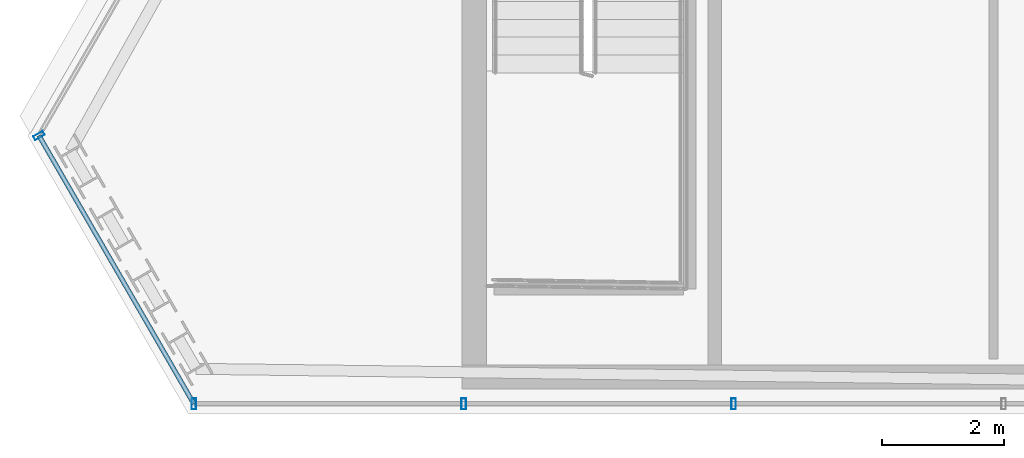
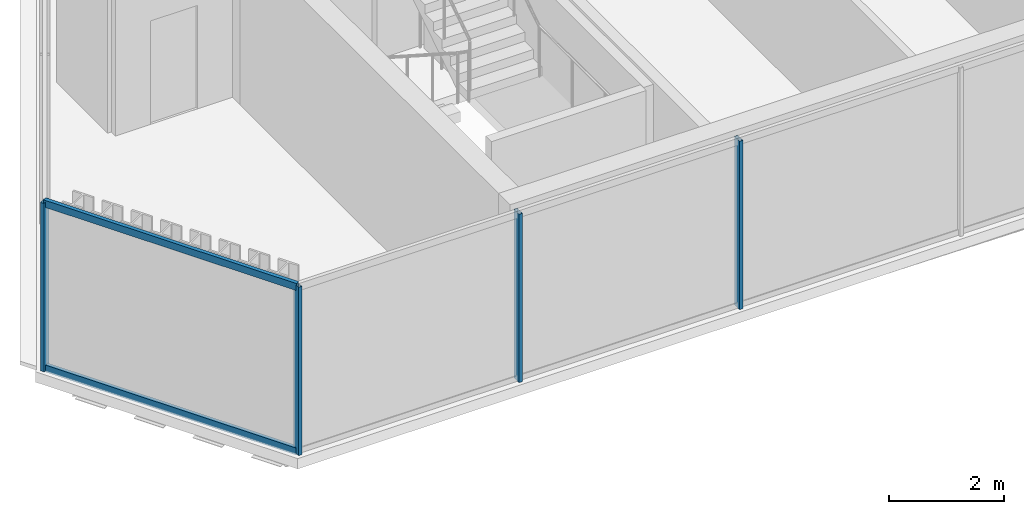
# One storey, part 3 of 35: 6 members, 2 elements without a shape of their own.
"""IFC4 building model written with IfcOpenShell, lengths in metres."""

import ifcopenshell
import ifcopenshell.guid

model = None  # the IFC model being written
_history = None  # IfcOwnerHistory: only IFC2X3 demands one
_inside = {}  # id of a spatial element -> (the spatial element, [elements in it])
_under = {}  # id of a project, library or spatial element -> (it, [spatial elements below it])
_declared = {}  # id of a project -> (the project, [libraries it declares])
_typed = {}  # id of a type object -> (the type object, [elements of that type])
_made_of = {}  # id of a material, layer set ... -> (it, [elements and type objects made of it])


def new_model(schema):
    """Start an empty IFC model of exactly this schema.

    Asked for "IFC4X3", IfcOpenShell would pick the latest addendum, in which some entities
    have other attributes; the version numbers below select the first issue.
    IFC2X3 requires an IfcOwnerHistory on every rooted entity: one is made here for all.
    """
    global model, _history
    if schema == "IFC4X3":
        model = ifcopenshell.file(schema_version=(4, 3, 0, 0))
    else:
        model = ifcopenshell.file(schema=schema)
    _inside.clear()
    _under.clear()
    _declared.clear()
    _typed.clear()
    _made_of.clear()
    _history = None
    if model.schema == "IFC2X3":
        org = make("IfcOrganization", Name="unknown")
        user = make(
            "IfcPersonAndOrganization",
            ThePerson=make("IfcPerson", FamilyName="unknown"),
            TheOrganization=org,
        )
        app = make(
            "IfcApplication",
            ApplicationDeveloper=org,
            Version="unknown",
            ApplicationFullName="unknown",
            ApplicationIdentifier="unknown",
        )
        _history = make(
            "IfcOwnerHistory",
            OwningUser=user,
            OwningApplication=app,
            ChangeAction="ADDED",
            CreationDate=0,
        )
    return model


def make(cls, **values):
    """One entity of the class cls with the attributes given. An attribute that is None is left unset."""
    return model.create_entity(
        cls, **{name: value for name, value in values.items() if value is not None}
    )


def rooted(cls, **values):
    """An entity with a GlobalId (a new one), such as an element, a storey or a relation."""
    return make(cls, GlobalId=ifcopenshell.guid.new(), OwnerHistory=_history, **values)


def si_unit(unit_type, name, prefix=None):
    """IfcSIUnit, for example si_unit("LENGTHUNIT", "METRE", prefix="MILLI")."""
    return make("IfcSIUnit", UnitType=unit_type, Prefix=prefix, Name=name)


def assignment(units):
    """IfcUnitAssignment: the units of a project."""
    return None if units is None else make("IfcUnitAssignment", Units=units)


def point(xyz):
    """IfcCartesianPoint."""
    return None if xyz is None else make("IfcCartesianPoint", Coordinates=xyz)


def direction(xyz):
    """IfcDirection."""
    return None if xyz is None else make("IfcDirection", DirectionRatios=xyz)


def frame(location, z_axis=None, x_axis=None):
    """IfcAxis2Placement3D, a coordinate frame: its origin and axes. An axis left out is left unset."""
    return make(
        "IfcAxis2Placement3D",
        Location=point(location),
        Axis=direction(z_axis),
        RefDirection=direction(x_axis),
    )


def frame_2d(location, x_axis=None):
    """IfcAxis2Placement2D, a coordinate frame in the plane: its origin and x axis."""
    return make(
        "IfcAxis2Placement2D", Location=point(location), RefDirection=direction(x_axis)
    )


def origin():
    """The frame at (0, 0, 0) with its axes left unset."""
    return frame((0.0, 0.0, 0.0))


def origin_2d():
    """The frame at (0, 0) in the plane with its x axis left unset."""
    return frame_2d((0.0, 0.0))


def place(relative_to, where):
    """IfcLocalPlacement: puts the frame where relative to a parent placement (None: the world)."""
    return make(
        "IfcLocalPlacement", PlacementRelTo=relative_to, RelativePlacement=where
    )


def context(
    kind, dimensions, precision=None, world=None, true_north=None, identifier=None
):
    """IfcGeometricRepresentationContext, for example the 3D "Model" context."""
    return make(
        "IfcGeometricRepresentationContext",
        ContextIdentifier=identifier,
        ContextType=kind,
        CoordinateSpaceDimension=dimensions,
        Precision=precision,
        WorldCoordinateSystem=world,
        TrueNorth=true_north,
    )


def subcontext(parent, identifier, kind, view, scale=None):
    """IfcGeometricRepresentationSubContext, for example "Body" below "Model"."""
    return make(
        "IfcGeometricRepresentationSubContext",
        ContextIdentifier=identifier,
        ContextType=kind,
        ParentContext=parent,
        TargetScale=scale,
        TargetView=view,
    )


def project(units=None, contexts=None):
    """IfcProject with its units and contexts."""
    return rooted(
        "IfcProject",
        Name="project",
        RepresentationContexts=contexts,
        UnitsInContext=assignment(units),
    )


def spatial(cls, under=None, at=None, **own):
    """A site, building, storey or space (cls), placed at a placement, below another one or the project."""
    s = rooted(cls, ObjectPlacement=at, **own)
    if under is not None:
        _under.setdefault(under.id(), (under, []))[1].append(s)
    return s


def profile(cls, at=None, kind="AREA", **sizes):
    """A parametric profile (cls). Its sizes go by their IFC names, for example OverallWidth=200.0."""
    return make(cls, ProfileType=kind, Position=at, **sizes)


def hollow_rectangle(**sizes):
    """IfcRectangleHollowProfileDef."""
    return profile("IfcRectangleHollowProfileDef", **sizes)


def extrude(swept, where, along, depth):
    """IfcExtrudedAreaSolid: the profile swept, set in the frame where, extruded along a direction by depth."""
    return make(
        "IfcExtrudedAreaSolid",
        SweptArea=swept,
        Position=where,
        ExtrudedDirection=direction(along),
        Depth=depth,
    )


def shape(context_of_items, identifier, shape_type, items):
    """IfcShapeRepresentation: the items that make up one representation, for example the "Body"."""
    return make(
        "IfcShapeRepresentation",
        ContextOfItems=context_of_items,
        RepresentationIdentifier=identifier,
        RepresentationType=shape_type,
        Items=items,
    )


def material(Name=None, Category=None):
    """IfcMaterial."""
    return make("IfcMaterial", Name=Name, Category=Category)


def layer(
    of_material, thickness, ventilated=None, Name=None, Category=None, Priority=None
):
    """IfcMaterialLayer: one layer of a wall or slab, of a material (None: an air gap)."""
    return make(
        "IfcMaterialLayer",
        Material=of_material,
        LayerThickness=thickness,
        IsVentilated=ventilated,
        Name=Name,
        Category=Category,
        Priority=Priority,
    )


def layer_set(layers, Name=None):
    """IfcMaterialLayerSet."""
    return make("IfcMaterialLayerSet", MaterialLayers=layers, LayerSetName=Name)


def material_profile(
    of_material, cross_section, Name=None, Category=None, Priority=None
):
    """IfcMaterialProfile: a cross section and its material."""
    return make(
        "IfcMaterialProfile",
        Name=Name,
        Material=of_material,
        Profile=cross_section,
        Priority=Priority,
        Category=Category,
    )


def profile_set(profiles, Name=None, composite=None):
    """IfcMaterialProfileSet."""
    return make(
        "IfcMaterialProfileSet",
        Name=Name,
        MaterialProfiles=profiles,
        CompositeProfile=composite,
    )


def made_of(thing, what):
    """Note that an element or type object is made of a material, layer set ...; save() writes the relation."""
    if what is not None:
        _made_of.setdefault(what.id(), (what, []))[1].append(thing)
    return thing


def type_object(cls, material=None, **own):
    """A type object (cls), such as IfcWallType, which elements share."""
    return made_of(rooted(cls, **own), material)


def element(
    cls,
    number,
    at=None,
    inside=None,
    cuts=None,
    type_object=None,
    material=None,
    context=None,
    identifier="Body",
    shape_type=None,
    held_by="IfcProductDefinitionShape",
    body=None,
    shapes=None,
    **own,
):
    """One element of the class cls, such as IfcWall. Its Tag is "e" and its number.

    at: its placement. inside: the storey or other place that contains it. cuts: it is an
    opening in that element (IfcRelVoidsElement). A single representation is given by context,
    identifier, shape_type and body (its items); several are given by shapes. held_by: the class
    of the entity that holds the representations. save() writes the other relations.
    """
    e = rooted(cls, Tag="e%d" % number, ObjectPlacement=at, **own)
    if body is not None:
        shapes = [shape(context, identifier, shape_type, body)]
    if shapes is not None:
        e.Representation = make(held_by, Representations=shapes)
    if inside is not None:
        _inside.setdefault(inside.id(), (inside, []))[1].append(e)
    if cuts is not None:
        rooted(
            "IfcRelVoidsElement", RelatingBuildingElement=cuts, RelatedOpeningElement=e
        )
    if type_object is not None:
        _typed.setdefault(type_object.id(), (type_object, []))[1].append(e)
    return made_of(e, material)


def aggregate(whole, parts):
    """IfcRelAggregates: a whole, such as a stair, and the parts it consists of."""
    return rooted("IfcRelAggregates", RelatingObject=whole, RelatedObjects=parts)


def save(model, path):
    """Write the relations noted so far, then the file.

    IfcRelAggregates (storeys below a building ...), IfcRelContainedInSpatialStructure (elements
    in a storey), IfcRelDefinesByType, IfcRelAssociatesMaterial and IfcRelDeclares: one each for
    every whole, place, type object, material and project.
    """
    for whole, parts in _under.values():
        aggregate(whole, parts)
    for where, things in _inside.values():
        rooted(
            "IfcRelContainedInSpatialStructure",
            RelatedElements=things,
            RelatingStructure=where,
        )
    for kind, things in _typed.values():
        rooted("IfcRelDefinesByType", RelatedObjects=things, RelatingType=kind)
    for what, things in _made_of.values():
        rooted("IfcRelAssociatesMaterial", RelatedObjects=things, RelatingMaterial=what)
    for by, libraries in _declared.values():
        rooted("IfcRelDeclares", RelatingContext=by, RelatedDefinitions=libraries)
    model.write(path)


model = new_model("IFC4")

# Units and contexts
model_context = context("Model", 3, precision=1e-05, world=origin(), true_north=direction((0.0, 1.0)))
body_context = subcontext(model_context, "Body", "Model", "MODEL_VIEW")
ifc_project = project(units=[si_unit("LENGTHUNIT", "METRE"), si_unit("AREAUNIT", "SQUARE_METRE"), si_unit("VOLUMEUNIT", "CUBIC_METRE"), si_unit("PLANEANGLEUNIT", "RADIAN"), si_unit("MASSUNIT", "GRAM", prefix="KILO")], contexts=[model_context])

# Site, building, storey
site_placement = place(None, origin())
site = spatial("IfcSite", under=ifc_project, at=site_placement, CompositionType="ELEMENT")
building_placement = place(site_placement, origin())
building = spatial("IfcBuilding", under=site, at=building_placement, Name="Ndaravel Arena Tower", CompositionType="ELEMENT")
storey_placement = place(building_placement, frame((0.0, 0.0, 271.199951171875)))
storey = spatial("IfcBuildingStorey", under=building, at=storey_placement, Name="L66", CompositionType="ELEMENT", Elevation=271.199951171875)

# Curtain wall, members
ifc_material_1 = material(Name="Aluminium", Category="aluminium")
ifc_layer_1 = layer(ifc_material_1, 0.179931640625)
ifc_layer_set_1 = layer_set([ifc_layer_1], Name="Aluminium")
curtain_wall_type_1 = type_object("IfcCurtainWallType", Name="CW-SYS-03", PredefinedType="NOTDEFINED", material=ifc_layer_set_1)
curtain_wall_1_placement = place(storey_placement, origin())
curtain_wall_1 = element("IfcCurtainWall", 1, at=curtain_wall_1_placement, inside=storey, type_object=curtain_wall_type_1, Name="L66 Faceted Crystal Curtain Wall CW-L66-E01", PredefinedType="NOTDEFINED")
ifc_material_2 = material(Name="Aluminium", Category="aluminium")
ifc_material_profile_1 = material_profile(ifc_material_2, hollow_rectangle(XDim=0.074951171875, YDim=0.179931640625, WallThickness=0.00390625, at=origin_2d()), Name="CW MULLION 75x180x4")
ifc_profile_set_1 = profile_set([ifc_material_profile_1], Name="Aluminium")
member_type_1 = type_object("IfcMemberType", Name="MEM-CW-MUL180", PredefinedType="MULLION", material=ifc_profile_set_1)
member_1_placement = place(storey_placement, frame((22.041015625, 5.159912109375, 0.0), z_axis=(0.0, 0.0, 1.0), x_axis=(1.0, 0.0, 0.0)))
member_1 = element("IfcMember", 2, at=member_1_placement, type_object=member_type_1, Name="CW-L66-E01 Mullion 00", PredefinedType="MULLION", context=body_context, shape_type="SweptSolid", body=[
    extrude(hollow_rectangle(XDim=0.074951171875, YDim=0.179931640625, WallThickness=0.00390625, at=origin_2d()), origin(), (0.0, 0.0, 1.0), 3.580078125),
])
member_2_placement = place(storey_placement, frame((26.476318359375, 5.159912109375, 0.0), z_axis=(0.0, 0.0, 1.0), x_axis=(1.0, 0.0, 0.0)))
member_2 = element("IfcMember", 3, at=member_2_placement, type_object=member_type_1, Name="CW-L66-E01 Mullion 01", PredefinedType="MULLION", context=body_context, shape_type="SweptSolid", body=[
    extrude(hollow_rectangle(XDim=0.074951171875, YDim=0.179931640625, WallThickness=0.00390625, at=origin_2d()), origin(), (0.0, 0.0, 1.0), 3.580078125),
])
member_3_placement = place(storey_placement, frame((30.91162109375, 5.159912109375, 0.0), z_axis=(0.0, 0.0, 1.0), x_axis=(1.0, 0.0, 0.0)))
member_3 = element("IfcMember", 4, at=member_3_placement, type_object=member_type_1, Name="CW-L66-E01 Mullion 02", PredefinedType="MULLION", context=body_context, shape_type="SweptSolid", body=[
    extrude(hollow_rectangle(XDim=0.074951171875, YDim=0.179931640625, WallThickness=0.00390625, at=origin_2d()), origin(), (0.0, 0.0, 1.0), 3.580078125),
])
aggregate(curtain_wall_1, [member_1, member_2, member_3])

ifc_material_3 = material(Name="Aluminium", Category="aluminium")
ifc_layer_2 = layer(ifc_material_3, 0.179931640625)
ifc_layer_set_2 = layer_set([ifc_layer_2], Name="Aluminium")
curtain_wall_type_2 = type_object("IfcCurtainWallType", Name="CW-SYS-02", PredefinedType="NOTDEFINED", material=ifc_layer_set_2)
curtain_wall_2_placement = place(storey_placement, origin())
curtain_wall_2 = element("IfcCurtainWall", 5, at=curtain_wall_2_placement, inside=storey, type_object=curtain_wall_type_2, Name="L66 Faceted Crystal Curtain Wall CW-L66-E06", PredefinedType="NOTDEFINED")
member_4_placement = place(storey_placement, frame((19.49609375, 9.567626953125, 0.0), z_axis=(0.0, 0.0, 1.0), x_axis=(0.5, -0.866025403784, 0.0)))
member_4 = element("IfcMember", 6, at=member_4_placement, type_object=member_type_1, Name="CW-L66-E06 Mullion 00", PredefinedType="MULLION", context=body_context, shape_type="SweptSolid", body=[
    extrude(hollow_rectangle(XDim=0.074951171875, YDim=0.179931640625, WallThickness=0.00390625, at=origin_2d()), origin(), (0.0, 0.0, 1.0), 3.580078125),
])
ifc_material_4 = material(Name="Aluminium", Category="aluminium")
ifc_material_profile_2 = material_profile(ifc_material_4, hollow_rectangle(XDim=0.074951171875, YDim=0.14990234375, WallThickness=0.00390625, at=origin_2d()), Name="CW TRANSOM 75x150x4")
ifc_profile_set_2 = profile_set([ifc_material_profile_2], Name="Aluminium")
member_type_2 = type_object("IfcMemberType", Name="MEM-CW-TRN150", PredefinedType="USERDEFINED", material=ifc_profile_set_2)
member_5_placement = place(storey_placement, frame((19.49609375, 9.567626953125, 0.0400390625), z_axis=(0.500018644096, -0.866014639343, 0.0), x_axis=(0.866014639343, 0.500018644096, 0.0)))
member_5 = element("IfcMember", 7, at=member_5_placement, type_object=member_type_2, Name="CW-L66-E06 Transom 01", ObjectType="TRANSOM", PredefinedType="USERDEFINED", context=body_context, shape_type="SweptSolid", body=[
    extrude(hollow_rectangle(XDim=0.074951171875, YDim=0.14990234375, WallThickness=0.00390625, at=origin_2d()), origin(), (0.0, 0.0, 1.0), 5.089599609375),
])
member_6_placement = place(storey_placement, frame((19.49609375, 9.567626953125, 3.5400390625), z_axis=(0.500018644096, -0.866014639343, 0.0), x_axis=(0.866014639343, 0.500018644096, 0.0)))
member_6 = element("IfcMember", 8, at=member_6_placement, type_object=member_type_2, Name="CW-L66-E06 Transom 02", ObjectType="TRANSOM", PredefinedType="USERDEFINED", context=body_context, shape_type="SweptSolid", body=[
    extrude(hollow_rectangle(XDim=0.074951171875, YDim=0.14990234375, WallThickness=0.00390625, at=origin_2d()), origin(), (0.0, 0.0, 1.0), 5.089599609375),
])
aggregate(curtain_wall_2, [member_4, member_5, member_6])

save(model, "model.ifc")
